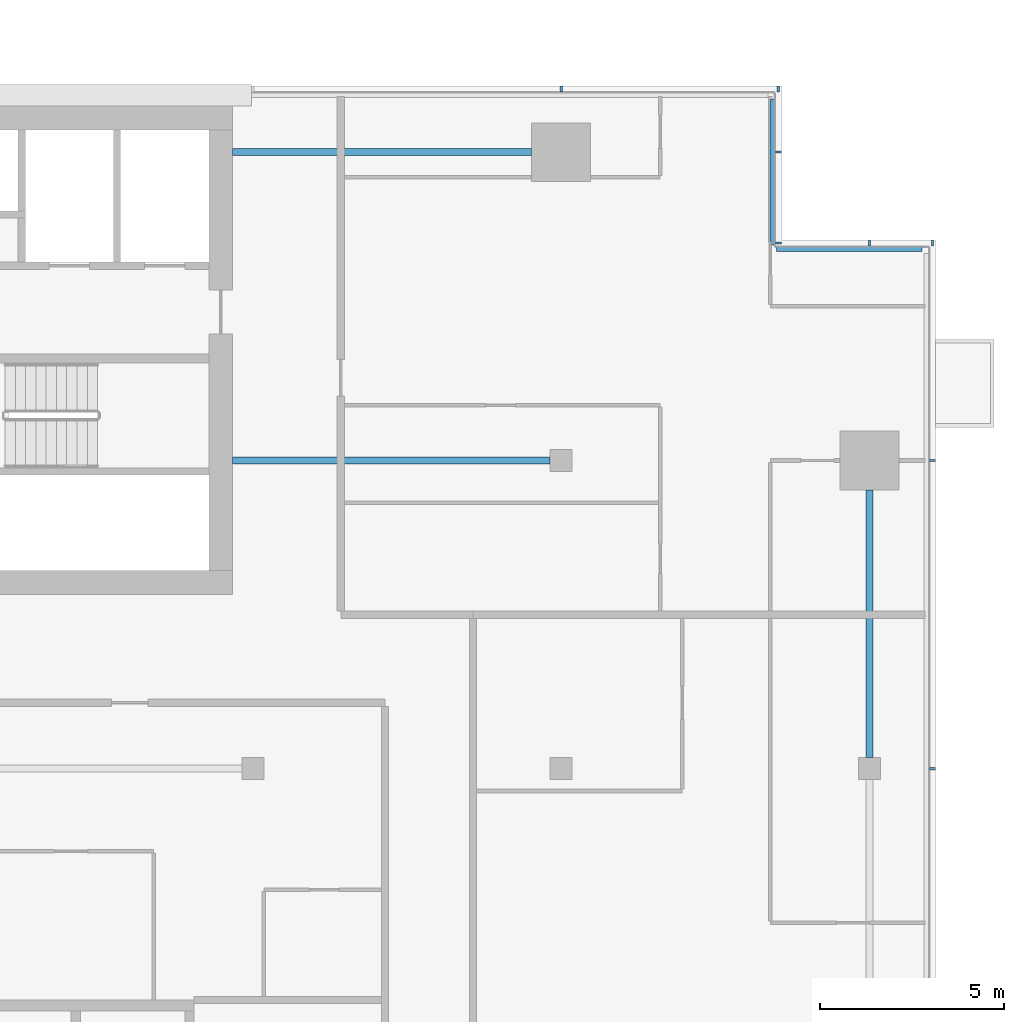
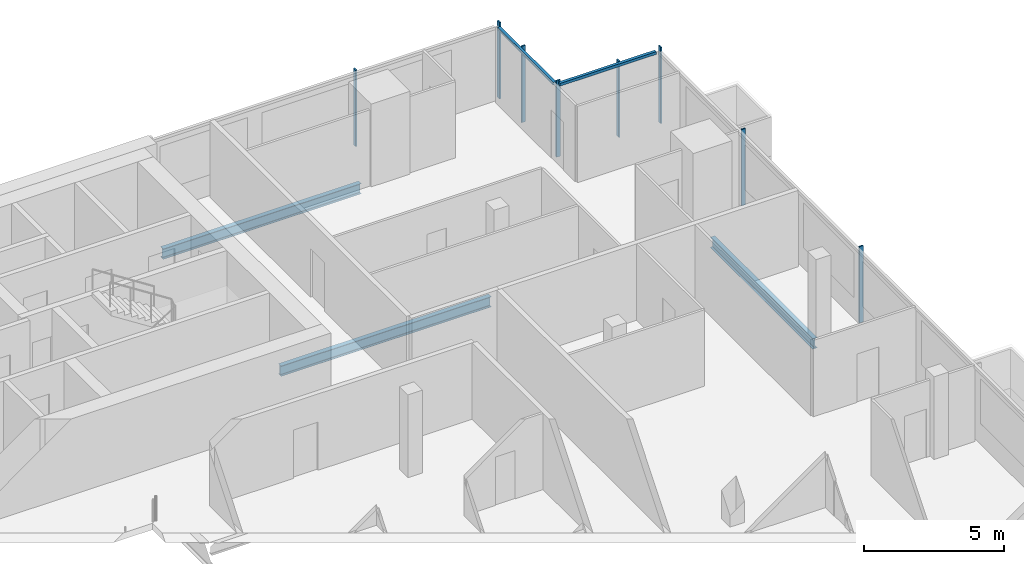
# One storey, part 13 of 26: 10 members, 3 beams, 4 elements without a shape of their own.
"""IFC4 building model written with IfcOpenShell, lengths in metres."""

from ifc_helpers import new_model, si_unit, direction, frame, origin, origin_2d, place, context, subcontext, project, spatial, rectangle, i_section, extrude, material, material_profile, profile_set, type_object, element, aggregate, save


model = new_model("IFC4")

# Units and contexts
model_context = context("Model", 3, precision=1e-05, world=origin(), true_north=direction((0.0, 1.0)))
body_context = subcontext(model_context, "Body", "Model", "MODEL_VIEW")
ifc_project = project(units=[si_unit("LENGTHUNIT", "METRE"), si_unit("AREAUNIT", "SQUARE_METRE"), si_unit("VOLUMEUNIT", "CUBIC_METRE"), si_unit("PLANEANGLEUNIT", "RADIAN"), si_unit("MASSUNIT", "GRAM", prefix="KILO")], contexts=[model_context])

# Site, building, storey
site_placement = place(None, origin())
site = spatial("IfcSite", under=ifc_project, at=site_placement, CompositionType="ELEMENT")
building_placement = place(site_placement, origin())
building = spatial("IfcBuilding", under=site, at=building_placement, Name="Saffron Gate Tower", CompositionType="ELEMENT")
storey_placement = place(building_placement, frame((0.0, 0.0, 230.699951171875)))
storey = spatial("IfcBuildingStorey", under=building, at=storey_placement, Name="L56", CompositionType="ELEMENT", Elevation=230.699951171875)

# Beams
ifc_material_1 = material(Name="Structural steel S355", Category="steel")
ifc_material_profile_1 = material_profile(ifc_material_1, i_section(OverallWidth=0.18994140625, OverallDepth=0.449951171875, WebThickness=0.009521484375, FlangeThickness=0.0146484375, FilletRadius=0.02099609375, at=origin_2d()))
ifc_profile_set_1 = profile_set([ifc_material_profile_1], Name="Structural steel S355")
beam_type_1 = type_object("IfcBeamType", Name="B6 IPE 450", PredefinedType="BEAM", material=ifc_profile_set_1)
beam_1_placement = place(storey_placement, frame((116.699951171875, 65.39990234375, -0.5048828125), z_axis=(-1.0, 0.0, 0.0), x_axis=(0.0, -1.0, 0.0)))
element("IfcBeam", 1, at=beam_1_placement, inside=storey, type_object=beam_type_1, Name="B6 CORE TIE BEAM", PredefinedType="BEAM", context=body_context, shape_type="SweptSolid", body=[
    extrude(i_section(OverallWidth=0.18994140625, OverallDepth=0.449951171875, WebThickness=0.009521484375, FlangeThickness=0.0146484375, FilletRadius=0.02099609375, at=origin_2d()), origin(), (0.0, 0.0, 1.0), 8.64990234375),
])
beam_2_placement = place(storey_placement, frame((116.199951171875, 73.800048828125, -0.5048828125), z_axis=(-1.0, 0.0, 0.0), x_axis=(0.0, -1.0, 0.0)))
element("IfcBeam", 2, at=beam_2_placement, inside=storey, type_object=beam_type_1, Name="B6 CORE TIE BEAM", PredefinedType="BEAM", context=body_context, shape_type="SweptSolid", body=[
    extrude(i_section(OverallWidth=0.18994140625, OverallDepth=0.449951171875, WebThickness=0.009521484375, FlangeThickness=0.0146484375, FilletRadius=0.02099609375, at=origin_2d()), origin(), (0.0, 0.0, 1.0), 8.14990234375),
])
ifc_material_profile_2 = material_profile(ifc_material_1, i_section(OverallWidth=0.18994140625, OverallDepth=0.449951171875, WebThickness=0.009521484375, FlangeThickness=0.0146484375, FilletRadius=0.02099609375, at=origin_2d()))
ifc_profile_set_2 = profile_set([ifc_material_profile_2], Name="Structural steel S355")
beam_type_2 = type_object("IfcBeamType", Name="B7 IPE 450", PredefinedType="SPANDREL", material=ifc_profile_set_2)
beam_3_placement = place(storey_placement, frame((125.39990234375, 57.300048828125, -0.5048828125), z_axis=(0.0, 1.0, 0.0), x_axis=(-1.0, 0.0, 0.0)))
element("IfcBeam", 3, at=beam_3_placement, inside=storey, type_object=beam_type_2, Name="B7 SPANDREL BEAM", PredefinedType="SPANDREL", context=body_context, shape_type="SweptSolid", body=[
    extrude(i_section(OverallWidth=0.18994140625, OverallDepth=0.449951171875, WebThickness=0.009521484375, FlangeThickness=0.0146484375, FilletRadius=0.02099609375, at=origin_2d()), origin(), (0.0, 0.0, 1.0), 7.300048828125),
])

# Curtain wall, members
ifc_material_2 = material(Name="Aluminium, bronze anodised", Category="aluminium")
curtain_wall_type_1 = type_object("IfcCurtainWallType", Name="CWS2 curtain wall side facades", PredefinedType="NOTDEFINED", material=ifc_material_2)
curtain_wall_1_placement = place(storey_placement, origin())
curtain_wall_1 = element("IfcCurtainWall", 4, at=curtain_wall_1_placement, inside=storey, type_object=curtain_wall_type_1, Name="CWS2 run 4", PredefinedType="NOTDEFINED")
ifc_material_profile_3 = material_profile(ifc_material_2, rectangle(XDim=0.159912109375, YDim=0.06005859375, at=origin_2d()))
ifc_profile_set_3 = profile_set([ifc_material_profile_3], Name="Aluminium, bronze anodised")
member_type_1 = type_object("IfcMemberType", Name="CWS2 mullion 60x160", PredefinedType="MULLION", material=ifc_profile_set_3)
member_1_placement = place(storey_placement, frame((127.1201171875, 57.0, 0.0), z_axis=(0.0, 0.0, 1.0), x_axis=(-1.0, 0.0, 0.0)))
member_1 = element("IfcMember", 5, at=member_1_placement, type_object=member_type_1, Name="CWS2 mullion 4", PredefinedType="MULLION", context=body_context, shape_type="SweptSolid", body=[
    extrude(rectangle(XDim=0.159912109375, YDim=0.06005859375, at=origin_2d()), origin(), (0.0, 0.0, 1.0), 3.320068359375),
])
member_2_placement = place(storey_placement, frame((127.1201171875, 65.39990234375, 0.0), z_axis=(0.0, 0.0, 1.0), x_axis=(-1.0, 0.0, 0.0)))
member_2 = element("IfcMember", 6, at=member_2_placement, type_object=member_type_1, Name="CWS2 mullion 5", PredefinedType="MULLION", context=body_context, shape_type="SweptSolid", body=[
    extrude(rectangle(XDim=0.159912109375, YDim=0.06005859375, at=origin_2d()), origin(), (0.0, 0.0, 1.0), 3.320068359375),
])
aggregate(curtain_wall_1, [member_1, member_2])

curtain_wall_type_2 = type_object("IfcCurtainWallType", Name="CWS3 curtain wall rear facade", PredefinedType="NOTDEFINED", material=ifc_material_2)
curtain_wall_2_placement = place(storey_placement, origin())
curtain_wall_2 = element("IfcCurtainWall", 7, at=curtain_wall_2_placement, inside=storey, type_object=curtain_wall_type_2, Name="CWS3 run 7", PredefinedType="NOTDEFINED")
ifc_material_profile_4 = material_profile(ifc_material_2, rectangle(XDim=0.159912109375, YDim=0.070068359375, at=origin_2d()))
ifc_profile_set_4 = profile_set([ifc_material_profile_4], Name="Aluminium, bronze anodised")
member_type_2 = type_object("IfcMemberType", Name="CWS3 mullion 70x160", PredefinedType="MULLION", material=ifc_profile_set_4)
member_3_placement = place(storey_placement, frame((122.919921875, 75.52001953125, 0.0), z_axis=(0.0, 0.0, 1.0), x_axis=(0.0, -1.0, 0.0)))
member_3 = element("IfcMember", 8, at=member_3_placement, type_object=member_type_2, Name="CWS3 mullion 1", PredefinedType="MULLION", context=body_context, shape_type="SweptSolid", body=[
    extrude(rectangle(XDim=0.159912109375, YDim=0.070068359375, at=origin_2d()), origin(), (0.0, 0.0, 1.0), 3.320068359375),
])
member_4_placement = place(storey_placement, frame((117.0, 75.52001953125, 0.0), z_axis=(0.0, 0.0, 1.0), x_axis=(0.0, -1.0, 0.0)))
member_4 = element("IfcMember", 9, at=member_4_placement, type_object=member_type_2, Name="CWS3 mullion 2", PredefinedType="MULLION", context=body_context, shape_type="SweptSolid", body=[
    extrude(rectangle(XDim=0.159912109375, YDim=0.070068359375, at=origin_2d()), origin(), (0.0, 0.0, 1.0), 3.320068359375),
])
aggregate(curtain_wall_2, [member_3, member_4])

# Curtain wall, member
curtain_wall_type_3 = type_object("IfcCurtainWallType", Name="CWS4 curtain wall corner returns", PredefinedType="NOTDEFINED", material=ifc_material_2)
curtain_wall_3_placement = place(storey_placement, origin())
curtain_wall_3 = element("IfcCurtainWall", 10, at=curtain_wall_3_placement, inside=storey, type_object=curtain_wall_type_3, Name="CWS4 run 5", PredefinedType="NOTDEFINED")
ifc_material_profile_5 = material_profile(ifc_material_2, rectangle(XDim=0.1201171875, YDim=0.1201171875, at=origin_2d()))
ifc_profile_set_5 = profile_set([ifc_material_profile_5], Name="Aluminium, bronze anodised")
member_type_3 = type_object("IfcMemberType", Name="CWS4 head transom", PredefinedType="USERDEFINED", material=ifc_profile_set_5)
member_5_placement = place(storey_placement, frame((126.83203125, 71.152099609375, 3.260009765625), z_axis=(-1.0, 0.0, 0.0), x_axis=(0.0, -1.0, 0.0)))
member_5 = element("IfcMember", 11, at=member_5_placement, type_object=member_type_3, Name="CWS4 head transom", ObjectType="TRANSOM", PredefinedType="USERDEFINED", context=body_context, shape_type="SweptSolid", body=[
    extrude(rectangle(XDim=0.1201171875, YDim=0.1201171875, at=origin_2d()), origin(), (0.0, 0.0, 1.0), 3.9599609375),
])

curtain_wall_4_placement = place(storey_placement, origin())
curtain_wall_4 = element("IfcCurtainWall", 12, at=curtain_wall_4_placement, inside=storey, type_object=curtain_wall_type_3, Name="CWS4 run 6", PredefinedType="NOTDEFINED")
member_6_placement = place(storey_placement, frame((122.751953125, 71.27197265625, 3.260009765625), z_axis=(0.0, 1.0, 0.0), x_axis=(-1.0, 0.0, 0.0)))
member_6 = element("IfcMember", 13, at=member_6_placement, type_object=member_type_3, Name="CWS4 head transom", ObjectType="TRANSOM", PredefinedType="USERDEFINED", context=body_context, shape_type="SweptSolid", body=[
    extrude(rectangle(XDim=0.1201171875, YDim=0.1201171875, at=origin_2d()), origin(), (0.0, 0.0, 1.0), 3.9599609375),
])

# Member
ifc_material_profile_6 = material_profile(ifc_material_2, rectangle(XDim=0.159912109375, YDim=0.06005859375, at=origin_2d()))
ifc_profile_set_6 = profile_set([ifc_material_profile_6], Name="Aluminium, bronze anodised")
member_type_4 = type_object("IfcMemberType", Name="CWS4 mullion 60x160", PredefinedType="MULLION", material=ifc_profile_set_6)
member_7_placement = place(storey_placement, frame((127.1201171875, 71.320068359375, 0.0), z_axis=(0.0, 0.0, 1.0), x_axis=(0.0, -1.0, 0.0)))
member_7 = element("IfcMember", 14, at=member_7_placement, type_object=member_type_4, Name="CWS4 mullion 1", PredefinedType="MULLION", context=body_context, shape_type="SweptSolid", body=[
    extrude(rectangle(XDim=0.159912109375, YDim=0.06005859375, at=origin_2d()), origin(), (0.0, 0.0, 1.0), 3.320068359375),
])

member_8_placement = place(storey_placement, frame((125.39990234375, 71.320068359375, 0.0), z_axis=(0.0, 0.0, 1.0), x_axis=(0.0, -1.0, 0.0)))
member_8 = element("IfcMember", 15, at=member_8_placement, type_object=member_type_4, Name="CWS4 mullion 2", PredefinedType="MULLION", context=body_context, shape_type="SweptSolid", body=[
    extrude(rectangle(XDim=0.159912109375, YDim=0.06005859375, at=origin_2d()), origin(), (0.0, 0.0, 1.0), 3.320068359375),
])

aggregate(curtain_wall_3, [member_7, member_8, member_5])

member_9_placement = place(storey_placement, frame((122.919921875, 71.320068359375, 0.0), z_axis=(0.0, 0.0, 1.0), x_axis=(-1.0, 0.0, 0.0)))
member_9 = element("IfcMember", 16, at=member_9_placement, type_object=member_type_4, Name="CWS4 mullion 1", PredefinedType="MULLION", context=body_context, shape_type="SweptSolid", body=[
    extrude(rectangle(XDim=0.159912109375, YDim=0.06005859375, at=origin_2d()), origin(), (0.0, 0.0, 1.0), 3.320068359375),
])

member_10_placement = place(storey_placement, frame((122.919921875, 73.800048828125, 0.0), z_axis=(0.0, 0.0, 1.0), x_axis=(-1.0, 0.0, 0.0)))
member_10 = element("IfcMember", 17, at=member_10_placement, type_object=member_type_4, Name="CWS4 mullion 2", PredefinedType="MULLION", context=body_context, shape_type="SweptSolid", body=[
    extrude(rectangle(XDim=0.159912109375, YDim=0.06005859375, at=origin_2d()), origin(), (0.0, 0.0, 1.0), 3.320068359375),
])

aggregate(curtain_wall_4, [member_9, member_10, member_6])

save(model, "model.ifc")
